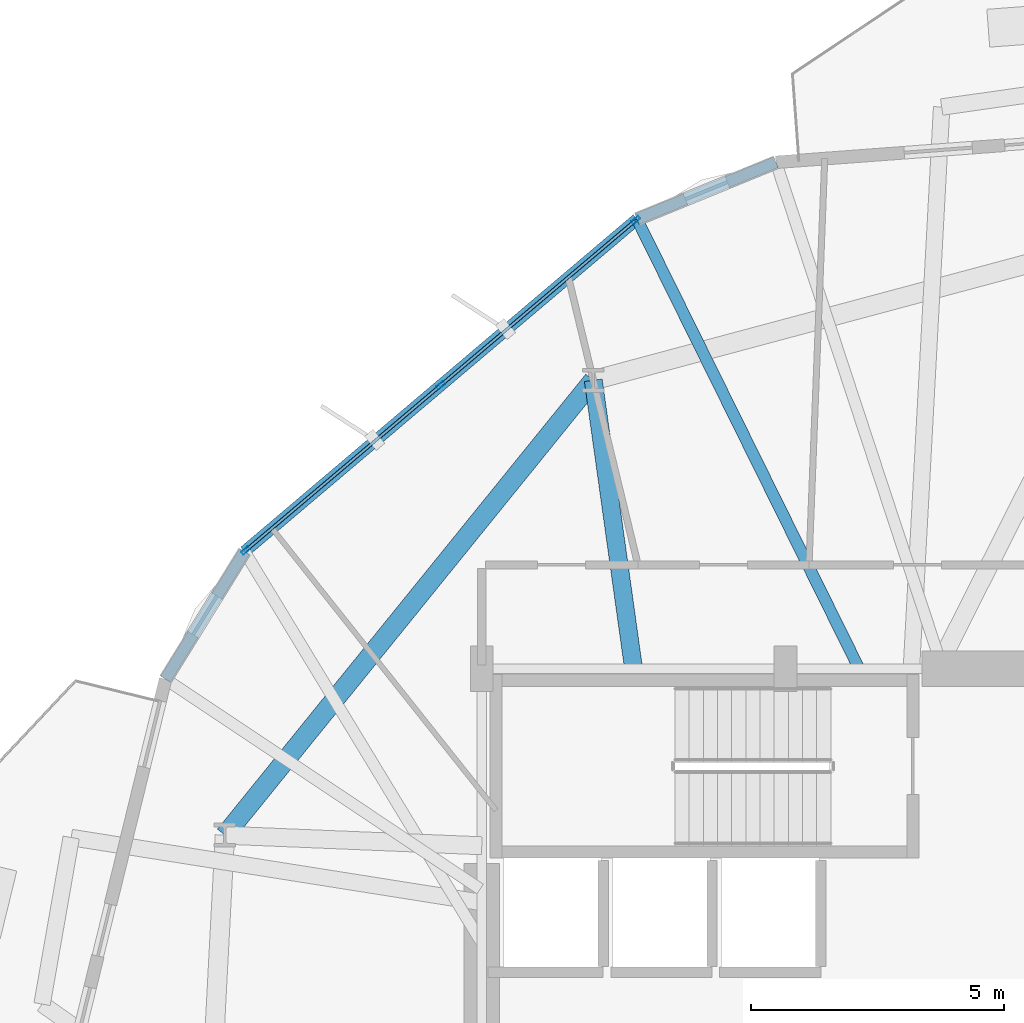
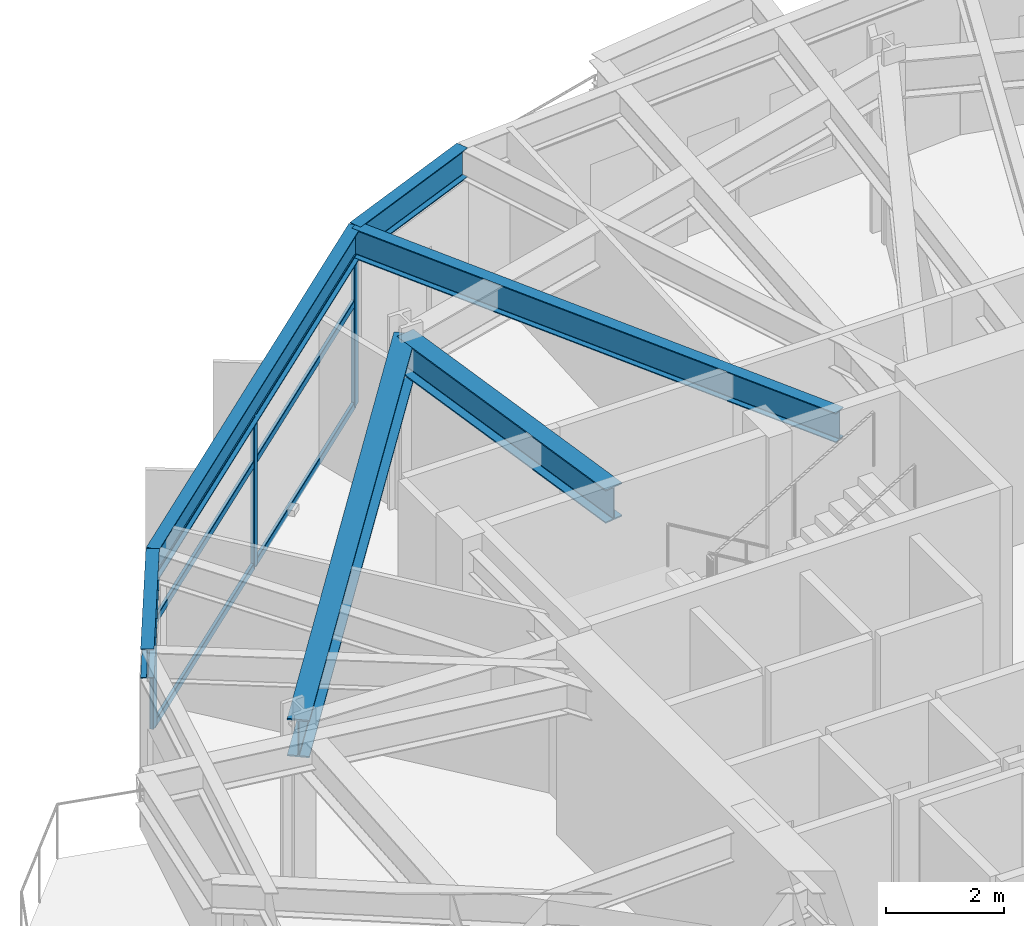
# One storey, part 12 of 22: 9 members, 6 beams, 1 element without a shape of its own.
"""IFC4 building model written with IfcOpenShell, lengths in metres."""

from ifc_helpers import new_model, si_unit, direction, frame, origin, origin_2d, place, context, subcontext, project, spatial, hollow_rectangle, i_section, extrude, material, layer, layer_set, material_profile, profile_set, type_object, element, aggregate, save


model = new_model("IFC4")

# Units and contexts
model_context = context("Model", 3, precision=1e-05, world=origin(), true_north=direction((0.0, 1.0)))
body_context = subcontext(model_context, "Body", "Model", "MODEL_VIEW")
ifc_project = project(units=[si_unit("LENGTHUNIT", "METRE"), si_unit("AREAUNIT", "SQUARE_METRE"), si_unit("VOLUMEUNIT", "CUBIC_METRE"), si_unit("PLANEANGLEUNIT", "RADIAN"), si_unit("MASSUNIT", "GRAM", prefix="KILO")], contexts=[model_context])

# Site, building, storey
site_placement = place(None, origin())
site = spatial("IfcSite", under=ifc_project, at=site_placement, CompositionType="ELEMENT")
building_placement = place(site_placement, origin())
building = spatial("IfcBuilding", under=site, at=building_placement, Name="Soratama Intermodal Tower", CompositionType="ELEMENT")
storey_placement = place(building_placement, frame((0.0, 0.0, 46.60009765625)))
storey = spatial("IfcBuildingStorey", under=building, at=storey_placement, Name="L10", CompositionType="ELEMENT", Elevation=46.60009765625)

# Beams
ifc_material_1 = material(Name="Structural steel ASTM A992 Grade 50", Category="steel")
ifc_material_profile_1 = material_profile(ifc_material_1, i_section(OverallWidth=0.35498046875, OverallDepth=0.695068359375, WebThickness=0.015380859375, FlangeThickness=0.02490234375, FilletRadius=0.01611328125, at=origin_2d()), Name="W27X146")
ifc_profile_set_1 = profile_set([ifc_material_profile_1], Name="Structural steel ASTM A992 Grade 50")
beam_type_1 = type_object("IfcBeamType", Name="BM-RING-W27X146", PredefinedType="BEAM", material=ifc_profile_set_1)
beam_1_placement = place(storey_placement, frame((35.60009765625, 35.0, 3.352294921875), z_axis=(-0.138332473065, 0.990385847484, 0.0), x_axis=(-0.990385847484, -0.138332473065, 0.0)))
element("IfcBeam", 1, at=beam_1_placement, inside=storey, type_object=beam_type_1, Name="BM-L10-RAD-04", PredefinedType="BEAM", context=body_context, shape_type="SweptSolid", body=[
    extrude(i_section(OverallWidth=0.35498046875, OverallDepth=0.695068359375, WebThickness=0.015380859375, FlangeThickness=0.02490234375, FilletRadius=0.01611328125, at=origin_2d()), origin(), (0.0, 0.0, 1.0), 5.75537109375),
])
ifc_material_2 = material(Name="Structural steel ASTM A992 Grade 50", Category="steel")
ifc_material_profile_2 = material_profile(ifc_material_2, i_section(OverallWidth=0.382080078125, OverallDepth=0.779052734375, WebThickness=0.01806640625, FlangeThickness=0.030029296875, FilletRadius=0.01806640625, at=origin_2d()), Name="W30X191")
ifc_profile_set_2 = profile_set([ifc_material_profile_2], Name="Structural steel ASTM A992 Grade 50")
beam_type_2 = type_object("IfcBeamType", Name="BM-RING-W30X191", PredefinedType="BEAM", material=ifc_profile_set_2)
beam_2_placement = place(storey_placement, frame((34.803955078125, 40.699951171875, 3.310302734375), z_axis=(-0.629334198857, -0.777134779912, 0.0), x_axis=(0.777134779912, -0.629334198857, 0.0)))
element("IfcBeam", 2, at=beam_2_placement, inside=storey, type_object=beam_type_2, Name="BM-L10-RING-04", PredefinedType="BEAM", context=body_context, shape_type="SweptSolid", body=[
    extrude(i_section(OverallWidth=0.382080078125, OverallDepth=0.779052734375, WebThickness=0.01806640625, FlangeThickness=0.030029296875, FilletRadius=0.01806640625, at=origin_2d()), origin(), (0.0, 0.0, 1.0), 11.5693359375),
])
ifc_material_3 = material(Name="Structural steel ASTM A992 Grade 50", Category="steel")
ifc_material_profile_3 = material_profile(ifc_material_3, i_section(OverallWidth=0.22900390625, OverallDepth=0.612060546875, WebThickness=0.011962890625, FlangeThickness=0.01953125, FilletRadius=0.012939453125, at=origin_2d()), Name="W24X84")
ifc_profile_set_3 = profile_set([ifc_material_profile_3], Name="Structural steel ASTM A992 Grade 50")
beam_type_3 = type_object("IfcBeamType", Name="BM-SPN-W24X84", PredefinedType="SPANDREL", material=ifc_profile_set_3)
beam_3_placement = place(storey_placement, frame((38.4130859375, 45.009033203125, 3.393798828125), z_axis=(-0.925473543088, -0.378812250389, 0.0), x_axis=(0.378812250389, -0.925473543088, 0.0)))
element("IfcBeam", 3, at=beam_3_placement, inside=storey, type_object=beam_type_3, Name="BS-L10-CRN03", PredefinedType="SPANDREL", context=body_context, shape_type="SweptSolid", body=[
    extrude(i_section(OverallWidth=0.22900390625, OverallDepth=0.612060546875, WebThickness=0.011962890625, FlangeThickness=0.01953125, FilletRadius=0.012939453125, at=origin_2d()), origin(), (0.0, 0.0, 1.0), 2.96728515625),
])
beam_4_placement = place(storey_placement, frame((35.6669921875, 43.885009765625, 3.393798828125), z_axis=(-0.763123846472, -0.646252268813, 0.0), x_axis=(0.646252268813, -0.763123846472, 0.0)))
element("IfcBeam", 4, at=beam_4_placement, inside=storey, type_object=beam_type_3, Name="BS-L10-F04", PredefinedType="SPANDREL", context=body_context, shape_type="SweptSolid", body=[
    extrude(i_section(OverallWidth=0.22900390625, OverallDepth=0.612060546875, WebThickness=0.011962890625, FlangeThickness=0.01953125, FilletRadius=0.012939453125, at=origin_2d()), origin(), (0.0, 0.0, 1.0), 10.164794921875),
])
beam_5_placement = place(storey_placement, frame((27.909912109375, 37.31591796875, 3.393798828125), z_axis=(-0.526102449535, -0.850421197168, 0.0), x_axis=(0.850421197168, -0.526102449535, 0.0)))
element("IfcBeam", 5, at=beam_5_placement, inside=storey, type_object=beam_type_3, Name="BS-L10-CRN04", PredefinedType="SPANDREL", context=body_context, shape_type="SweptSolid", body=[
    extrude(i_section(OverallWidth=0.22900390625, OverallDepth=0.612060546875, WebThickness=0.011962890625, FlangeThickness=0.01953125, FilletRadius=0.012939453125, at=origin_2d()), origin(), (0.0, 0.0, 1.0), 2.966796875),
])
ifc_material_4 = material(Name="Structural steel ASTM A992 Grade 50", Category="steel")
ifc_material_profile_4 = material_profile(ifc_material_4, i_section(OverallWidth=0.22900390625, OverallDepth=0.612060546875, WebThickness=0.011962890625, FlangeThickness=0.01953125, FilletRadius=0.012939453125, at=origin_2d()), Name="W24X84")
ifc_profile_set_4 = profile_set([ifc_material_profile_4], Name="Structural steel ASTM A992 Grade 50")
beam_type_4 = type_object("IfcBeamType", Name="BM-TIE-W24X84", PredefinedType="BEAM", material=ifc_profile_set_4)
beam_6_placement = place(storey_placement, frame((40.0400390625, 35.035888671875, 3.393798828125), z_axis=(-0.443033640727, 0.896504987819, 0.0), x_axis=(-0.896504987819, -0.443033640727, 0.0)))
element("IfcBeam", 6, at=beam_6_placement, inside=storey, type_object=beam_type_4, Name="BM-L10-TIE0-04", PredefinedType="BEAM", context=body_context, shape_type="SweptSolid", body=[
    extrude(i_section(OverallWidth=0.22900390625, OverallDepth=0.612060546875, WebThickness=0.011962890625, FlangeThickness=0.01953125, FilletRadius=0.012939453125, at=origin_2d()), origin(), (0.0, 0.0, 1.0), 9.87060546875),
])

# Curtain wall, members
ifc_material_5 = material(Name="Double-glazed aluminium curtain wall", Category="aluminium")
ifc_layer = layer(ifc_material_5, 0.159912109375)
ifc_layer_set = layer_set([ifc_layer], Name="Double-glazed aluminium curtain wall")
curtain_wall_type = type_object("IfcCurtainWallType", Name="CW-SYS-2", PredefinedType="NOTDEFINED", material=ifc_layer_set)
curtain_wall_placement = place(storey_placement, origin())
curtain_wall = element("IfcCurtainWall", 7, at=curtain_wall_placement, inside=storey, type_object=curtain_wall_type, Name="L10 Faceted Curtain Wall F04", PredefinedType="NOTDEFINED")
ifc_material_6 = material(Name="Anodised aluminium AA 6063-T6", Category="aluminium")
ifc_material_profile_5 = material_profile(ifc_material_6, hollow_rectangle(XDim=0.074951171875, YDim=0.179931640625, WallThickness=0.006103515625, InnerFilletRadius=0.006103515625, OuterFilletRadius=0.011962890625, at=origin_2d()), Name="CWM180X75X6")
ifc_profile_set_5 = profile_set([ifc_material_profile_5], Name="Anodised aluminium AA 6063-T6")
member_type_1 = type_object("IfcMemberType", Name="MT-CWM-2", PredefinedType="MULLION", material=ifc_profile_set_5)
member_1_placement = place(storey_placement, frame((35.64453125, 43.865478515625, 0.0), z_axis=(0.0, 0.0, 1.0), x_axis=(0.646259255872, -0.763117929419, 0.0)))
member_1 = element("IfcMember", 8, at=member_1_placement, type_object=member_type_1, Name="CW-2 mullion 1", PredefinedType="MULLION", context=body_context, shape_type="SweptSolid", body=[
    extrude(hollow_rectangle(XDim=0.074951171875, YDim=0.179931640625, WallThickness=0.006103515625, InnerFilletRadius=0.006103515625, OuterFilletRadius=0.011962890625, at=origin_2d()), origin(), (0.0, 0.0, 1.0), 3.078857421875),
])
member_2_placement = place(storey_placement, frame((31.788818359375, 40.60009765625, 0.0), z_axis=(0.0, 0.0, 1.0), x_axis=(0.646259255872, -0.763117929419, 0.0)))
member_2 = element("IfcMember", 9, at=member_2_placement, type_object=member_type_1, Name="CW-2 mullion 2", PredefinedType="MULLION", context=body_context, shape_type="SweptSolid", body=[
    extrude(hollow_rectangle(XDim=0.074951171875, YDim=0.179931640625, WallThickness=0.006103515625, InnerFilletRadius=0.006103515625, OuterFilletRadius=0.011962890625, at=origin_2d()), origin(), (0.0, 0.0, 1.0), 3.078857421875),
])
member_3_placement = place(storey_placement, frame((27.93310546875, 37.3349609375, 0.0), z_axis=(0.0, 0.0, 1.0), x_axis=(0.646259255872, -0.763117929419, 0.0)))
member_3 = element("IfcMember", 10, at=member_3_placement, type_object=member_type_1, Name="CW-2 mullion 3", PredefinedType="MULLION", context=body_context, shape_type="SweptSolid", body=[
    extrude(hollow_rectangle(XDim=0.074951171875, YDim=0.179931640625, WallThickness=0.006103515625, InnerFilletRadius=0.006103515625, OuterFilletRadius=0.011962890625, at=origin_2d()), origin(), (0.0, 0.0, 1.0), 3.078857421875),
])
ifc_material_7 = material(Name="Anodised aluminium AA 6063-T6", Category="aluminium")
ifc_material_profile_6 = material_profile(ifc_material_7, hollow_rectangle(XDim=0.06494140625, YDim=0.14990234375, WallThickness=0.0048828125, InnerFilletRadius=0.0048828125, OuterFilletRadius=0.010009765625, at=origin_2d()), Name="CWT150X65X5")
ifc_profile_set_6 = profile_set([ifc_material_profile_6], Name="Anodised aluminium AA 6063-T6")
member_type_2 = type_object("IfcMemberType", Name="TT-CWT-1", PredefinedType="USERDEFINED", material=ifc_profile_set_6)
member_4_placement = place(storey_placement, frame((35.62158203125, 43.84619140625, 0.02978515625), z_axis=(-0.763122840037, -0.646253457255, 0.0), x_axis=(0.646253457255, -0.763122840037, 0.0)))
member_4 = element("IfcMember", 11, at=member_4_placement, type_object=member_type_2, Name="CW-2 transom 1.1", ObjectType="TRANSOM", PredefinedType="USERDEFINED", context=body_context, shape_type="SweptSolid", body=[
    extrude(hollow_rectangle(XDim=0.06494140625, YDim=0.14990234375, WallThickness=0.0048828125, InnerFilletRadius=0.0048828125, OuterFilletRadius=0.010009765625, at=origin_2d()), origin(), (0.0, 0.0, 1.0), 4.99267578125),
])
member_5_placement = place(storey_placement, frame((35.62158203125, 43.84619140625, 2.14990234375), z_axis=(-0.763122840037, -0.646253457255, 0.0), x_axis=(0.646253457255, -0.763122840037, 0.0)))
member_5 = element("IfcMember", 12, at=member_5_placement, type_object=member_type_2, Name="CW-2 transom 1.2", ObjectType="TRANSOM", PredefinedType="USERDEFINED", context=body_context, shape_type="SweptSolid", body=[
    extrude(hollow_rectangle(XDim=0.06494140625, YDim=0.14990234375, WallThickness=0.0048828125, InnerFilletRadius=0.0048828125, OuterFilletRadius=0.010009765625, at=origin_2d()), origin(), (0.0, 0.0, 1.0), 4.99267578125),
])
member_6_placement = place(storey_placement, frame((35.62158203125, 43.84619140625, 3.048828125), z_axis=(-0.763122840037, -0.646253457255, 0.0), x_axis=(0.646253457255, -0.763122840037, 0.0)))
member_6 = element("IfcMember", 13, at=member_6_placement, type_object=member_type_2, Name="CW-2 transom 1.3", ObjectType="TRANSOM", PredefinedType="USERDEFINED", context=body_context, shape_type="SweptSolid", body=[
    extrude(hollow_rectangle(XDim=0.06494140625, YDim=0.14990234375, WallThickness=0.0048828125, InnerFilletRadius=0.0048828125, OuterFilletRadius=0.010009765625, at=origin_2d()), origin(), (0.0, 0.0, 1.0), 4.99267578125),
])
member_7_placement = place(storey_placement, frame((31.765869140625, 40.580810546875, 0.02978515625), z_axis=(-0.763122840037, -0.646253457255, 0.0), x_axis=(0.646253457255, -0.763122840037, 0.0)))
member_7 = element("IfcMember", 14, at=member_7_placement, type_object=member_type_2, Name="CW-2 transom 2.1", ObjectType="TRANSOM", PredefinedType="USERDEFINED", context=body_context, shape_type="SweptSolid", body=[
    extrude(hollow_rectangle(XDim=0.06494140625, YDim=0.14990234375, WallThickness=0.0048828125, InnerFilletRadius=0.0048828125, OuterFilletRadius=0.010009765625, at=origin_2d()), origin(), (0.0, 0.0, 1.0), 4.99267578125),
])
member_8_placement = place(storey_placement, frame((31.765869140625, 40.580810546875, 2.14990234375), z_axis=(-0.763122840037, -0.646253457255, 0.0), x_axis=(0.646253457255, -0.763122840037, 0.0)))
member_8 = element("IfcMember", 15, at=member_8_placement, type_object=member_type_2, Name="CW-2 transom 2.2", ObjectType="TRANSOM", PredefinedType="USERDEFINED", context=body_context, shape_type="SweptSolid", body=[
    extrude(hollow_rectangle(XDim=0.06494140625, YDim=0.14990234375, WallThickness=0.0048828125, InnerFilletRadius=0.0048828125, OuterFilletRadius=0.010009765625, at=origin_2d()), origin(), (0.0, 0.0, 1.0), 4.99267578125),
])
member_9_placement = place(storey_placement, frame((31.765869140625, 40.580810546875, 3.048828125), z_axis=(-0.763122840037, -0.646253457255, 0.0), x_axis=(0.646253457255, -0.763122840037, 0.0)))
member_9 = element("IfcMember", 16, at=member_9_placement, type_object=member_type_2, Name="CW-2 transom 2.3", ObjectType="TRANSOM", PredefinedType="USERDEFINED", context=body_context, shape_type="SweptSolid", body=[
    extrude(hollow_rectangle(XDim=0.06494140625, YDim=0.14990234375, WallThickness=0.0048828125, InnerFilletRadius=0.0048828125, OuterFilletRadius=0.010009765625, at=origin_2d()), origin(), (0.0, 0.0, 1.0), 4.99267578125),
])
aggregate(curtain_wall, [member_1, member_2, member_3, member_4, member_5, member_6, member_7, member_8, member_9])

save(model, "model.ifc")
